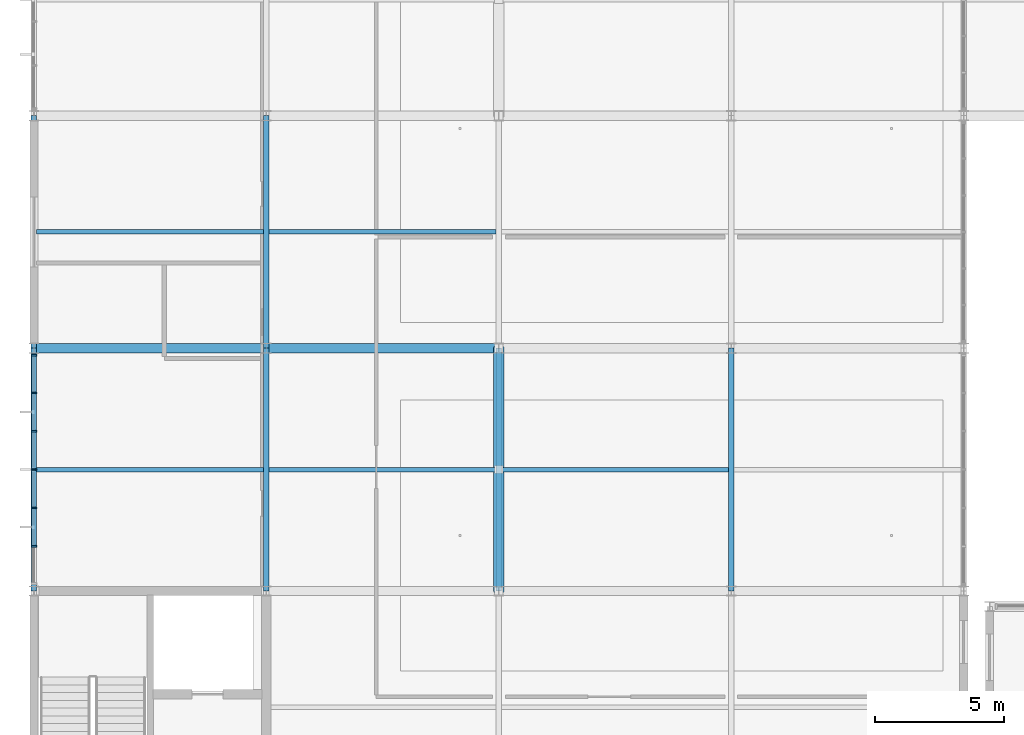
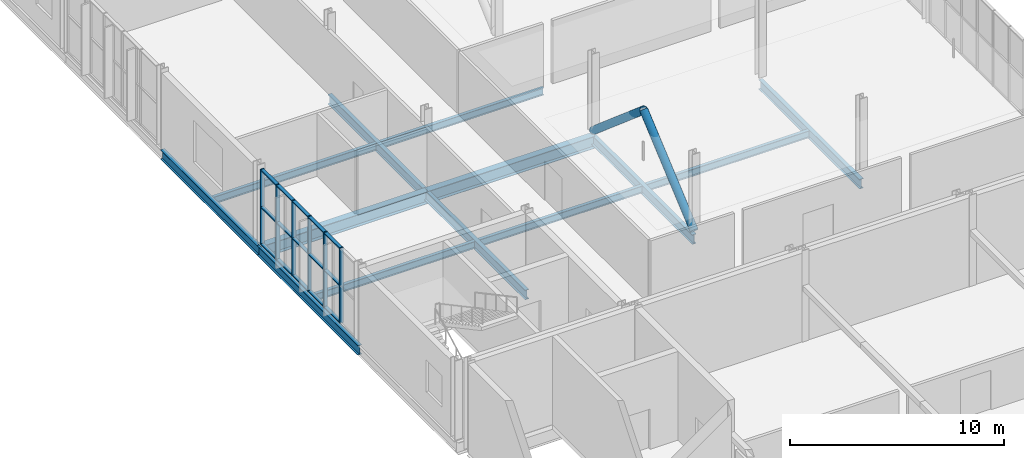
# One storey, part 42 of 134: 23 members, 13 beams, 1 element without a shape of its own.
"""IFC4 building model written with IfcOpenShell, lengths in metres."""

from ifc_helpers import new_model, si_unit, direction, frame, origin, origin_2d, place, context, subcontext, project, spatial, rectangle, hollow_circle, i_section, extrude, material, layer, layer_set, material_profile, profile_set, type_object, element, aggregate, save


model = new_model("IFC4")

# Units and contexts
model_context = context("Model", 3, precision=1e-05, world=origin(), true_north=direction((0.0, 1.0)))
body_context = subcontext(model_context, "Body", "Model", "MODEL_VIEW")
ifc_project = project(units=[si_unit("LENGTHUNIT", "METRE"), si_unit("AREAUNIT", "SQUARE_METRE"), si_unit("VOLUMEUNIT", "CUBIC_METRE"), si_unit("PLANEANGLEUNIT", "RADIAN"), si_unit("MASSUNIT", "GRAM", prefix="KILO")], contexts=[model_context])

# Site, building, storey
site_placement = place(None, origin())
site = spatial("IfcSite", under=ifc_project, at=site_placement, CompositionType="ELEMENT")
building_placement = place(site_placement, origin())
building = spatial("IfcBuilding", under=site, at=building_placement, Name="Cazmaro Siding Exhibition Halls", CompositionType="ELEMENT")
storey_placement = place(building_placement, frame((0.0, 0.0, 12.0)))
storey = spatial("IfcBuildingStorey", under=building, at=storey_placement, Name="L02", CompositionType="ELEMENT", Elevation=12.0)

# Beams
ifc_material_1 = material(Name="Steel ASTM A992 Grade 50", Category="steel")
ifc_material_profile_1 = material_profile(ifc_material_1, i_section(OverallWidth=0.214111328125, OverallDepth=0.549072265625, WebThickness=0.014892578125, FlangeThickness=0.02392578125, at=origin_2d()), Name="W21X93")
ifc_profile_set_1 = profile_set([ifc_material_profile_1], Name="Steel ASTM A992 Grade 50")
beam_type_1 = type_object("IfcBeamType", Name="B-01", PredefinedType="BEAM", material=ifc_profile_set_1)
beam_1_placement = place(storey_placement, frame((0.0, 63.60009765625, -0.4951171875), z_axis=(0.0, 1.0, 0.0), x_axis=(-1.0, 0.0, 0.0)))
element("IfcBeam", 1, at=beam_1_placement, inside=storey, type_object=beam_type_1, Name="Beam B-01 BM-2117", PredefinedType="BEAM", context=body_context, shape_type="SweptSolid", body=[
    extrude(i_section(OverallWidth=0.214111328125, OverallDepth=0.549072265625, WebThickness=0.014892578125, FlangeThickness=0.02392578125, at=origin_2d()), origin(), (0.0, 0.0, 1.0), 9.39990234375),
])
beam_2_placement = place(storey_placement, frame((0.0, 73.0, -0.4951171875), z_axis=(0.0, 1.0, 0.0), x_axis=(-1.0, 0.0, 0.0)))
element("IfcBeam", 2, at=beam_2_placement, inside=storey, type_object=beam_type_1, Name="Beam B-01 BM-2118", PredefinedType="BEAM", context=body_context, shape_type="SweptSolid", body=[
    extrude(i_section(OverallWidth=0.214111328125, OverallDepth=0.549072265625, WebThickness=0.014892578125, FlangeThickness=0.02392578125, at=origin_2d()), origin(), (0.0, 0.0, 1.0), 9.0),
])
beam_3_placement = place(storey_placement, frame((9.0, 63.60009765625, -0.4951171875), z_axis=(0.0, 1.0, 0.0), x_axis=(-1.0, 0.0, 0.0)))
element("IfcBeam", 3, at=beam_3_placement, inside=storey, type_object=beam_type_1, Name="Beam B-01 BM-2125", PredefinedType="BEAM", context=body_context, shape_type="SweptSolid", body=[
    extrude(i_section(OverallWidth=0.214111328125, OverallDepth=0.549072265625, WebThickness=0.014892578125, FlangeThickness=0.02392578125, at=origin_2d()), origin(), (0.0, 0.0, 1.0), 9.39990234375),
])
beam_4_placement = place(storey_placement, frame((9.0, 73.0, -0.4951171875), z_axis=(0.0, 1.0, 0.0), x_axis=(-1.0, 0.0, 0.0)))
element("IfcBeam", 4, at=beam_4_placement, inside=storey, type_object=beam_type_1, Name="Beam B-01 BM-2126", PredefinedType="BEAM", context=body_context, shape_type="SweptSolid", body=[
    extrude(i_section(OverallWidth=0.214111328125, OverallDepth=0.549072265625, WebThickness=0.014892578125, FlangeThickness=0.02392578125, at=origin_2d()), origin(), (0.0, 0.0, 1.0), 9.0),
])
for number, where, z_axis, x_axis, name in (
    (5, (18.0, 63.60009765625, -0.4951171875), (0.0, 1.0, 0.0), (-1.0, 0.0, 0.0), "Beam B-01 BM-2133"),
    (6, (27.0, 63.60009765625, -0.4951171875), (0.0, 1.0, 0.0), (-1.0, 0.0, 0.0), "Beam B-01 BM-2141"),
):
    element("IfcBeam", number, at=place(storey_placement, frame(where, z_axis=z_axis, x_axis=x_axis)), inside=storey, type_object=beam_type_1, Name=name, PredefinedType="BEAM", context=body_context, shape_type="SweptSolid", body=[
        extrude(i_section(OverallWidth=0.214111328125, OverallDepth=0.549072265625, WebThickness=0.014892578125, FlangeThickness=0.02392578125, at=origin_2d()), origin(), (0.0, 0.0, 1.0), 9.39990234375),
    ])

# Curtain wall, members
ifc_material_2 = material(Name="Anodized Bronze Aluminum and Solar-Control Low-E Glazing", Category="aluminium")
ifc_layer = layer(ifc_material_2, 0.199951171875)
ifc_layer_set = layer_set([ifc_layer], Name="Anodized Bronze Aluminum and Solar-Control Low-E Glazing")
curtain_wall_type = type_object("IfcCurtainWallType", Name="CWS-02", PredefinedType="USERDEFINED", material=ifc_layer_set)
curtain_wall_placement = place(storey_placement, origin())
curtain_wall = element("IfcCurtainWall", 7, at=curtain_wall_placement, inside=storey, type_object=curtain_wall_type, Name="Glazed Curtain Wall CWS-02 CW-236", ObjectType="GLAZED CURTAIN WALL", PredefinedType="USERDEFINED")
ifc_material_3 = material(Name="Anodized Bronze Extruded Aluminum", Category="aluminium")
ifc_material_profile_2 = material_profile(ifc_material_3, rectangle(XDim=0.199951171875, YDim=0.06494140625, at=origin_2d()), Name="CWM-02")
ifc_profile_set_2 = profile_set([ifc_material_profile_2], Name="Anodized Bronze Extruded Aluminum")
member_type_1 = type_object("IfcMemberType", Name="CWM-02", PredefinedType="MULLION", material=ifc_profile_set_2)
member_1_placement = place(storey_placement, frame((0.0, 72.722412109375, 0.0), z_axis=(0.0, 0.0, 1.0), x_axis=(1.0, 0.0, 0.0)))
member_1 = element("IfcMember", 8, at=member_1_placement, type_object=member_type_1, Name="CWS-02 mullion 1", PredefinedType="MULLION", context=body_context, shape_type="SweptSolid", body=[
    extrude(rectangle(XDim=0.199951171875, YDim=0.06494140625, at=origin_2d()), origin(), (0.0, 0.0, 1.0), 4.280029296875),
])
member_2_placement = place(storey_placement, frame((0.0, 71.27001953125, 0.0), z_axis=(0.0, 0.0, 1.0), x_axis=(1.0, 0.0, 0.0)))
member_2 = element("IfcMember", 9, at=member_2_placement, type_object=member_type_1, Name="CWS-02 mullion 2", PredefinedType="MULLION", context=body_context, shape_type="SweptSolid", body=[
    extrude(rectangle(XDim=0.199951171875, YDim=0.06494140625, at=origin_2d()), origin(), (0.0, 0.0, 1.0), 4.280029296875),
])
member_3_placement = place(storey_placement, frame((0.0, 69.784912109375, 0.0), z_axis=(0.0, 0.0, 1.0), x_axis=(1.0, 0.0, 0.0)))
member_3 = element("IfcMember", 10, at=member_3_placement, type_object=member_type_1, Name="CWS-02 mullion 3", PredefinedType="MULLION", context=body_context, shape_type="SweptSolid", body=[
    extrude(rectangle(XDim=0.199951171875, YDim=0.06494140625, at=origin_2d()), origin(), (0.0, 0.0, 1.0), 4.280029296875),
])
member_4_placement = place(storey_placement, frame((0.0, 68.300048828125, 0.0), z_axis=(0.0, 0.0, 1.0), x_axis=(1.0, 0.0, 0.0)))
member_4 = element("IfcMember", 11, at=member_4_placement, type_object=member_type_1, Name="CWS-02 mullion 4", PredefinedType="MULLION", context=body_context, shape_type="SweptSolid", body=[
    extrude(rectangle(XDim=0.199951171875, YDim=0.06494140625, at=origin_2d()), origin(), (0.0, 0.0, 1.0), 4.280029296875),
])
member_5_placement = place(storey_placement, frame((0.0, 66.81494140625, 0.0), z_axis=(0.0, 0.0, 1.0), x_axis=(1.0, 0.0, 0.0)))
member_5 = element("IfcMember", 12, at=member_5_placement, type_object=member_type_1, Name="CWS-02 mullion 5", PredefinedType="MULLION", context=body_context, shape_type="SweptSolid", body=[
    extrude(rectangle(XDim=0.199951171875, YDim=0.06494140625, at=origin_2d()), origin(), (0.0, 0.0, 1.0), 4.280029296875),
])
member_6_placement = place(storey_placement, frame((0.0, 65.330078125, 0.0), z_axis=(0.0, 0.0, 1.0), x_axis=(1.0, 0.0, 0.0)))
member_6 = element("IfcMember", 13, at=member_6_placement, type_object=member_type_1, Name="CWS-02 mullion 6", PredefinedType="MULLION", context=body_context, shape_type="SweptSolid", body=[
    extrude(rectangle(XDim=0.199951171875, YDim=0.06494140625, at=origin_2d()), origin(), (0.0, 0.0, 1.0), 4.280029296875),
])
ifc_material_4 = material(Name="Anodized Bronze Extruded Aluminum", Category="aluminium")
ifc_material_profile_3 = material_profile(ifc_material_4, rectangle(XDim=0.179931640625, YDim=0.06494140625, at=origin_2d()), Name="CWT-02")
ifc_profile_set_3 = profile_set([ifc_material_profile_3], Name="Anodized Bronze Extruded Aluminum")
member_type_2 = type_object("IfcMemberType", Name="CWT-02", PredefinedType="MULLION", material=ifc_profile_set_3)
member_7_placement = place(storey_placement, frame((0.0, 72.68994140625, 0.032470703125), z_axis=(0.0, -1.0, 0.0), x_axis=(1.0, 0.0, 0.0)))
member_7 = element("IfcMember", 14, at=member_7_placement, type_object=member_type_2, Name="CWS-02 transom 1.1", ObjectType="TRANSOM", PredefinedType="USERDEFINED", context=body_context, shape_type="SweptSolid", body=[
    extrude(rectangle(XDim=0.179931640625, YDim=0.06494140625, at=origin_2d()), origin(), (0.0, 0.0, 1.0), 1.387451171875),
])
member_8_placement = place(storey_placement, frame((0.0, 72.68994140625, 2.139892578125), z_axis=(0.0, -1.0, 0.0), x_axis=(1.0, 0.0, 0.0)))
member_8 = element("IfcMember", 15, at=member_8_placement, type_object=member_type_2, Name="CWS-02 transom 1.2", ObjectType="TRANSOM", PredefinedType="USERDEFINED", context=body_context, shape_type="SweptSolid", body=[
    extrude(rectangle(XDim=0.179931640625, YDim=0.06494140625, at=origin_2d()), origin(), (0.0, 0.0, 1.0), 1.387451171875),
])
member_9_placement = place(storey_placement, frame((0.0, 72.68994140625, 4.24755859375), z_axis=(0.0, -1.0, 0.0), x_axis=(1.0, 0.0, 0.0)))
member_9 = element("IfcMember", 16, at=member_9_placement, type_object=member_type_2, Name="CWS-02 transom 1.3", ObjectType="TRANSOM", PredefinedType="USERDEFINED", context=body_context, shape_type="SweptSolid", body=[
    extrude(rectangle(XDim=0.179931640625, YDim=0.06494140625, at=origin_2d()), origin(), (0.0, 0.0, 1.0), 1.387451171875),
])
member_10_placement = place(storey_placement, frame((0.0, 71.237548828125, 0.032470703125), z_axis=(0.0, -1.0, 0.0), x_axis=(1.0, 0.0, 0.0)))
member_10 = element("IfcMember", 17, at=member_10_placement, type_object=member_type_2, Name="CWS-02 transom 2.1", ObjectType="TRANSOM", PredefinedType="USERDEFINED", context=body_context, shape_type="SweptSolid", body=[
    extrude(rectangle(XDim=0.179931640625, YDim=0.06494140625, at=origin_2d()), origin(), (0.0, 0.0, 1.0), 1.420166015625),
])
member_11_placement = place(storey_placement, frame((0.0, 71.237548828125, 2.139892578125), z_axis=(0.0, -1.0, 0.0), x_axis=(1.0, 0.0, 0.0)))
member_11 = element("IfcMember", 18, at=member_11_placement, type_object=member_type_2, Name="CWS-02 transom 2.2", ObjectType="TRANSOM", PredefinedType="USERDEFINED", context=body_context, shape_type="SweptSolid", body=[
    extrude(rectangle(XDim=0.179931640625, YDim=0.06494140625, at=origin_2d()), origin(), (0.0, 0.0, 1.0), 1.420166015625),
])
member_12_placement = place(storey_placement, frame((0.0, 71.237548828125, 4.24755859375), z_axis=(0.0, -1.0, 0.0), x_axis=(1.0, 0.0, 0.0)))
member_12 = element("IfcMember", 19, at=member_12_placement, type_object=member_type_2, Name="CWS-02 transom 2.3", ObjectType="TRANSOM", PredefinedType="USERDEFINED", context=body_context, shape_type="SweptSolid", body=[
    extrude(rectangle(XDim=0.179931640625, YDim=0.06494140625, at=origin_2d()), origin(), (0.0, 0.0, 1.0), 1.420166015625),
])
member_13_placement = place(storey_placement, frame((0.0, 69.75244140625, 0.032470703125), z_axis=(0.0, -1.0, 0.0), x_axis=(1.0, 0.0, 0.0)))
member_13 = element("IfcMember", 20, at=member_13_placement, type_object=member_type_2, Name="CWS-02 transom 3.1", ObjectType="TRANSOM", PredefinedType="USERDEFINED", context=body_context, shape_type="SweptSolid", body=[
    extrude(rectangle(XDim=0.179931640625, YDim=0.06494140625, at=origin_2d()), origin(), (0.0, 0.0, 1.0), 1.419921875),
])
member_14_placement = place(storey_placement, frame((0.0, 69.75244140625, 2.139892578125), z_axis=(0.0, -1.0, 0.0), x_axis=(1.0, 0.0, 0.0)))
member_14 = element("IfcMember", 21, at=member_14_placement, type_object=member_type_2, Name="CWS-02 transom 3.2", ObjectType="TRANSOM", PredefinedType="USERDEFINED", context=body_context, shape_type="SweptSolid", body=[
    extrude(rectangle(XDim=0.179931640625, YDim=0.06494140625, at=origin_2d()), origin(), (0.0, 0.0, 1.0), 1.419921875),
])
member_15_placement = place(storey_placement, frame((0.0, 69.75244140625, 4.24755859375), z_axis=(0.0, -1.0, 0.0), x_axis=(1.0, 0.0, 0.0)))
member_15 = element("IfcMember", 22, at=member_15_placement, type_object=member_type_2, Name="CWS-02 transom 3.3", ObjectType="TRANSOM", PredefinedType="USERDEFINED", context=body_context, shape_type="SweptSolid", body=[
    extrude(rectangle(XDim=0.179931640625, YDim=0.06494140625, at=origin_2d()), origin(), (0.0, 0.0, 1.0), 1.419921875),
])
member_16_placement = place(storey_placement, frame((0.0, 68.267578125, 0.032470703125), z_axis=(0.0, -1.0, 0.0), x_axis=(1.0, 0.0, 0.0)))
member_16 = element("IfcMember", 23, at=member_16_placement, type_object=member_type_2, Name="CWS-02 transom 4.1", ObjectType="TRANSOM", PredefinedType="USERDEFINED", context=body_context, shape_type="SweptSolid", body=[
    extrude(rectangle(XDim=0.179931640625, YDim=0.06494140625, at=origin_2d()), origin(), (0.0, 0.0, 1.0), 1.420166015625),
])
member_17_placement = place(storey_placement, frame((0.0, 68.267578125, 2.139892578125), z_axis=(0.0, -1.0, 0.0), x_axis=(1.0, 0.0, 0.0)))
member_17 = element("IfcMember", 24, at=member_17_placement, type_object=member_type_2, Name="CWS-02 transom 4.2", ObjectType="TRANSOM", PredefinedType="USERDEFINED", context=body_context, shape_type="SweptSolid", body=[
    extrude(rectangle(XDim=0.179931640625, YDim=0.06494140625, at=origin_2d()), origin(), (0.0, 0.0, 1.0), 1.420166015625),
])
member_18_placement = place(storey_placement, frame((0.0, 68.267578125, 4.24755859375), z_axis=(0.0, -1.0, 0.0), x_axis=(1.0, 0.0, 0.0)))
member_18 = element("IfcMember", 25, at=member_18_placement, type_object=member_type_2, Name="CWS-02 transom 4.3", ObjectType="TRANSOM", PredefinedType="USERDEFINED", context=body_context, shape_type="SweptSolid", body=[
    extrude(rectangle(XDim=0.179931640625, YDim=0.06494140625, at=origin_2d()), origin(), (0.0, 0.0, 1.0), 1.420166015625),
])
member_19_placement = place(storey_placement, frame((0.0, 66.782470703125, 0.032470703125), z_axis=(0.0, -1.0, 0.0), x_axis=(1.0, 0.0, 0.0)))
member_19 = element("IfcMember", 26, at=member_19_placement, type_object=member_type_2, Name="CWS-02 transom 5.1", ObjectType="TRANSOM", PredefinedType="USERDEFINED", context=body_context, shape_type="SweptSolid", body=[
    extrude(rectangle(XDim=0.179931640625, YDim=0.06494140625, at=origin_2d()), origin(), (0.0, 0.0, 1.0), 1.419921875),
])
member_20_placement = place(storey_placement, frame((0.0, 66.782470703125, 2.139892578125), z_axis=(0.0, -1.0, 0.0), x_axis=(1.0, 0.0, 0.0)))
member_20 = element("IfcMember", 27, at=member_20_placement, type_object=member_type_2, Name="CWS-02 transom 5.2", ObjectType="TRANSOM", PredefinedType="USERDEFINED", context=body_context, shape_type="SweptSolid", body=[
    extrude(rectangle(XDim=0.179931640625, YDim=0.06494140625, at=origin_2d()), origin(), (0.0, 0.0, 1.0), 1.419921875),
])
member_21_placement = place(storey_placement, frame((0.0, 66.782470703125, 4.24755859375), z_axis=(0.0, -1.0, 0.0), x_axis=(1.0, 0.0, 0.0)))
member_21 = element("IfcMember", 28, at=member_21_placement, type_object=member_type_2, Name="CWS-02 transom 5.3", ObjectType="TRANSOM", PredefinedType="USERDEFINED", context=body_context, shape_type="SweptSolid", body=[
    extrude(rectangle(XDim=0.179931640625, YDim=0.06494140625, at=origin_2d()), origin(), (0.0, 0.0, 1.0), 1.419921875),
])
aggregate(curtain_wall, [member_1, member_2, member_3, member_4, member_5, member_6, member_7, member_8, member_9, member_10, member_11, member_12, member_13, member_14, member_15, member_16, member_17, member_18, member_19, member_20, member_21])

# Beams
ifc_material_5 = material(Name="Steel ASTM A992 Grade 50", Category="steel")
ifc_material_profile_4 = material_profile(ifc_material_5, i_section(OverallWidth=0.35595703125, OverallDepth=0.696044921875, WebThickness=0.014892578125, FlangeThickness=0.02490234375, at=origin_2d()), Name="W27X146")
ifc_profile_set_4 = profile_set([ifc_material_profile_4], Name="Steel ASTM A992 Grade 50")
beam_type_2 = type_object("IfcBeamType", Name="G-05", PredefinedType="USERDEFINED", material=ifc_profile_set_4)
for number, where, z_axis, x_axis, name in (
    (29, (0.0, 73.0, -0.568115234375), (1.0, 0.0, 0.0), (0.0, 1.0, 0.0), "Beam G-05 BM-2052"),
    (30, (9.0, 73.0, -0.568115234375), (1.0, 0.0, 0.0), (0.0, 1.0, 0.0), "Beam G-05 BM-2067"),
):
    element("IfcBeam", number, at=place(storey_placement, frame(where, z_axis=z_axis, x_axis=x_axis)), inside=storey, type_object=beam_type_2, Name=name, ObjectType="GIRDER", PredefinedType="USERDEFINED", context=body_context, shape_type="SweptSolid", body=[
        extrude(i_section(OverallWidth=0.35595703125, OverallDepth=0.696044921875, WebThickness=0.014892578125, FlangeThickness=0.02490234375, at=origin_2d()), origin(), (0.0, 0.0, 1.0), 9.0),
    ])
ifc_material_6 = material(Name="Steel ASTM A992 Grade 50", Category="steel")
ifc_material_profile_5 = material_profile(ifc_material_6, i_section(OverallWidth=0.177978515625, OverallDepth=0.406005859375, WebThickness=0.008056640625, FlangeThickness=0.012939453125, at=origin_2d()), Name="W16X40")
ifc_profile_set_5 = profile_set([ifc_material_profile_5], Name="Steel ASTM A992 Grade 50")
beam_type_3 = type_object("IfcBeamType", Name="J-02", PredefinedType="JOIST", material=ifc_profile_set_5)
for number, where, z_axis, x_axis, name in (
    (31, (0.10693359375, 68.300048828125, -0.423095703125), (1.0, 0.0, 0.0), (0.0, 1.0, 0.0), "Beam J-02 BM-2059"),
    (32, (0.10693359375, 77.5, -0.423095703125), (1.0, 0.0, 0.0), (0.0, 1.0, 0.0), "Beam J-02 BM-2060"),
    (33, (9.10693359375, 68.300048828125, -0.423095703125), (1.0, 0.0, 0.0), (0.0, 1.0, 0.0), "Beam J-02 BM-2075"),
    (34, (9.10693359375, 77.5, -0.423095703125), (1.0, 0.0, 0.0), (0.0, 1.0, 0.0), "Beam J-02 BM-2076"),
    (35, (18.10693359375, 68.300048828125, -0.423095703125), (1.0, 0.0, 0.0), (0.0, 1.0, 0.0), "Beam J-02 BM-2092"),
):
    element("IfcBeam", number, at=place(storey_placement, frame(where, z_axis=z_axis, x_axis=x_axis)), inside=storey, type_object=beam_type_3, Name=name, PredefinedType="JOIST", context=body_context, shape_type="SweptSolid", body=[
        extrude(i_section(OverallWidth=0.177978515625, OverallDepth=0.406005859375, WebThickness=0.008056640625, FlangeThickness=0.012939453125, at=origin_2d()), origin(), (0.0, 0.0, 1.0), 8.7861328125),
    ])

# Members
ifc_material_7 = material(Name="Steel ASTM A500 Grade C", Category="steel")
ifc_material_profile_6 = material_profile(ifc_material_7, hollow_circle(Radius=0.202880859375, WallThickness=0.012939453125, at=origin_2d()), Name="PIPE16XS")
ifc_profile_set_6 = profile_set([ifc_material_profile_6], Name="Steel ASTM A500 Grade C")
member_type_3 = type_object("IfcMemberType", Name="WB-04", PredefinedType="BRACE", material=ifc_profile_set_6)
for number, where, z_axis, x_axis, name in (
    (36, (18.0, 63.60009765625, 0.0), (0.0, 0.760579728976, 0.649244542427), (-1.0, 0.0, 0.0), "BRBF lateral brace WB-04 MEM-3438"),
    (37, (18.0, 73.0, 0.0), (0.0, -0.760579728976, 0.649244542427), (1.0, 0.0, 0.0), "BRBF lateral brace WB-04 MEM-3439"),
):
    element("IfcMember", number, at=place(storey_placement, frame(where, z_axis=z_axis, x_axis=x_axis)), inside=storey, type_object=member_type_3, Name=name, PredefinedType="BRACE", context=body_context, shape_type="SweptSolid", body=[
        extrude(hollow_circle(Radius=0.202880859375, WallThickness=0.012939453125, at=origin_2d()), origin(), (0.0, 0.0, 1.0), 6.179443359375),
    ])

save(model, "model.ifc")
